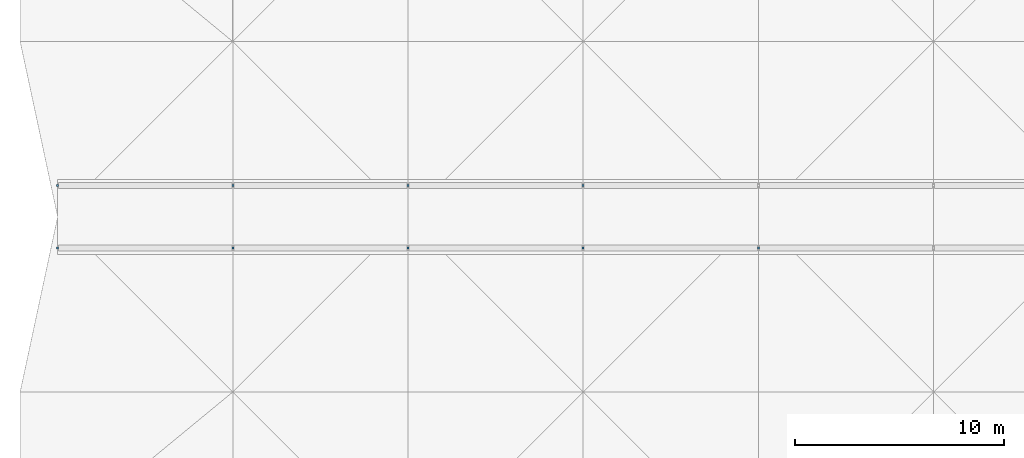
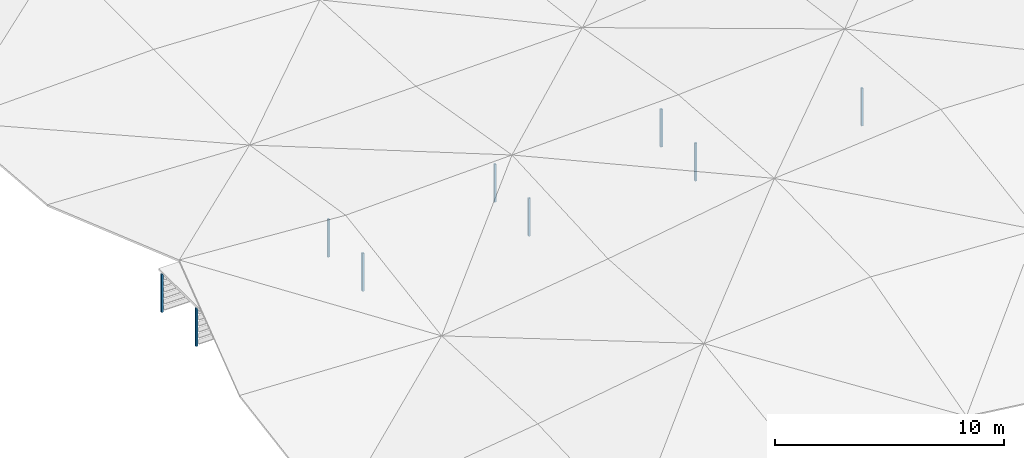
# One storey, part 4 of 46: 9 discrete accessories.
"""IFC4 building model written with IfcOpenShell, lengths in metres."""

from ifc_helpers import new_model, si_unit, direction, frame, origin, origin_2d, place, context, subcontext, project, spatial, rectangle, extrude, material, layer, layer_set, type_object, element, save


model = new_model("IFC4")

# Units and contexts
model_context = context("Model", 3, precision=1e-05, world=origin(), true_north=direction((0.0, 1.0)))
body_context = subcontext(model_context, "Body", "Model", "MODEL_VIEW")
ifc_project = project(units=[si_unit("LENGTHUNIT", "METRE"), si_unit("AREAUNIT", "SQUARE_METRE"), si_unit("VOLUMEUNIT", "CUBIC_METRE"), si_unit("PLANEANGLEUNIT", "RADIAN"), si_unit("MASSUNIT", "GRAM", prefix="KILO")], contexts=[model_context])

# Site, building, storey
site_placement = place(None, origin())
site = spatial("IfcSite", under=ifc_project, at=site_placement, CompositionType="ELEMENT")
building_placement = place(site_placement, origin())
building = spatial("IfcBuilding", under=site, at=building_placement, Name="Rain Tree Exposition and Congress Centre", CompositionType="ELEMENT")
storey_placement = place(building_placement, frame((0.0, 0.0, 27.0)))
storey = spatial("IfcBuildingStorey", under=building, at=storey_placement, Name="ROOF VAULT CREST", CompositionType="ELEMENT", Elevation=27.0)

# Discrete accessories
ifc_material = material(Name="Steel S355J2", Category="steel")
ifc_layer = layer(ifc_material, 0.10009765625)
ifc_layer_set = layer_set([ifc_layer], Name="Steel S355J2")
discrete_accessory_type = type_object("IfcDiscreteAccessoryType", Name="Ridge lantern post 100", PredefinedType="BRACKET", material=ifc_layer_set)
for number, where, z_axis, x_axis, name in (
    (1, (8.39990234375, 149.699951171875, 0.0), (0.0, 0.0, 1.0), (1.0, 0.0, 0.0), "Lantern post S0"),
    (2, (16.800048828125, 149.699951171875, 0.0), (0.0, 0.0, 1.0), (1.0, 0.0, 0.0), "Lantern post S1"),
    (3, (25.199951171875, 149.699951171875, 0.0), (0.0, 0.0, 1.0), (1.0, 0.0, 0.0), "Lantern post S2"),
    (4, (33.60009765625, 149.699951171875, 0.0), (0.0, 0.0, 1.0), (1.0, 0.0, 0.0), "Lantern post S3"),
    (5, (42.0, 149.699951171875, 0.0), (0.0, 0.0, 1.0), (1.0, 0.0, 0.0), "Lantern post S4"),
    (6, (8.39990234375, 152.699951171875, 0.0), (0.0, 0.0, 1.0), (1.0, 0.0, 0.0), "Lantern post N0"),
    (7, (16.800048828125, 152.699951171875, 0.0), (0.0, 0.0, 1.0), (1.0, 0.0, 0.0), "Lantern post N1"),
    (8, (25.199951171875, 152.699951171875, 0.0), (0.0, 0.0, 1.0), (1.0, 0.0, 0.0), "Lantern post N2"),
    (9, (33.60009765625, 152.699951171875, 0.0), (0.0, 0.0, 1.0), (1.0, 0.0, 0.0), "Lantern post N3"),
):
    element("IfcDiscreteAccessory", number, at=place(storey_placement, frame(where, z_axis=z_axis, x_axis=x_axis)), inside=storey, type_object=discrete_accessory_type, Name=name, PredefinedType="BRACKET", context=body_context, shape_type="SweptSolid", body=[
        extrude(rectangle(XDim=0.10009765625, YDim=0.10009765625, at=origin_2d()), origin(), (0.0, 0.0, 1.0), 2.02001953125),
    ])

save(model, "model.ifc")
